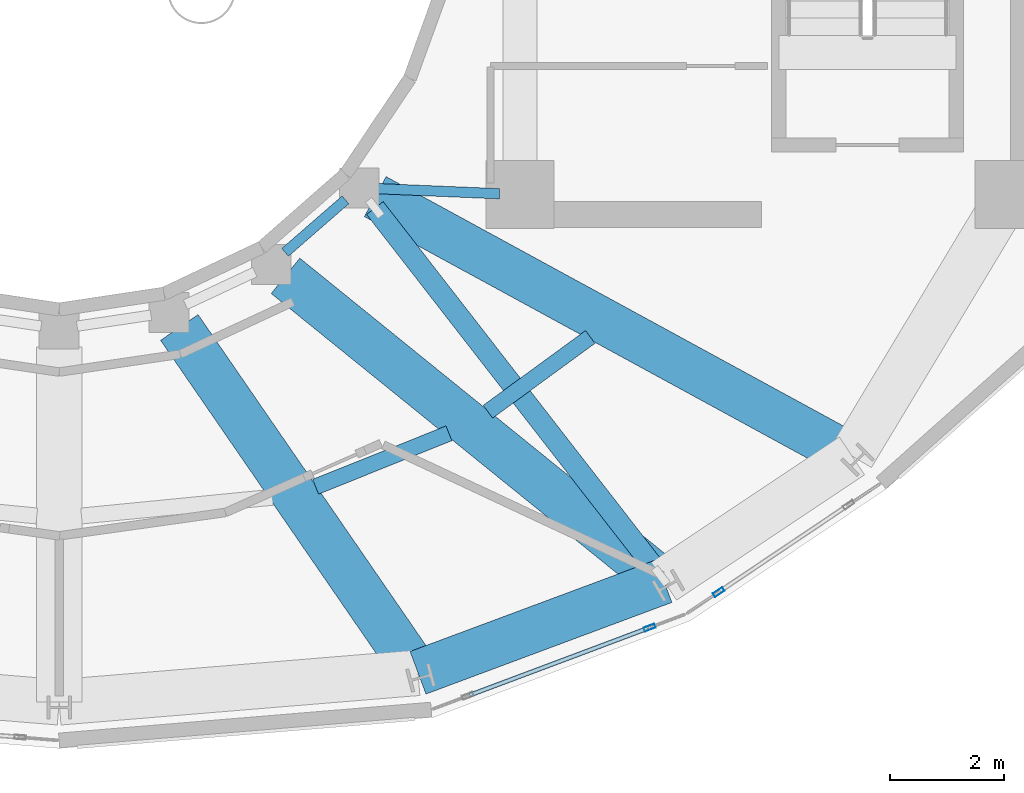
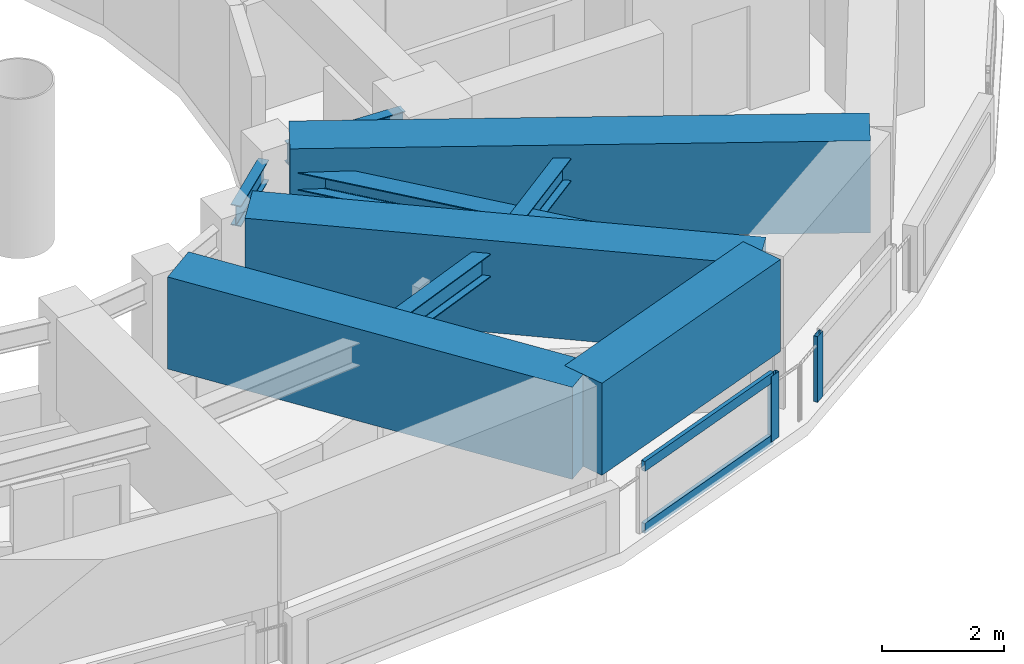
# One storey, part 5 of 17: 8 beams, 5 members, 2 elements without a shape of their own.
"""IFC4 building model written with IfcOpenShell, lengths in metres."""

from ifc_helpers import new_model, si_unit, direction, frame, origin, origin_2d, place, context, subcontext, project, spatial, rectangle, hollow_rectangle, i_section, extrude, material, layer, layer_set, material_profile, profile_set, type_object, element, aggregate, save


model = new_model("IFC4")

# Units and contexts
model_context = context("Model", 3, precision=1e-05, world=origin(), true_north=direction((0.0, 1.0)))
body_context = subcontext(model_context, "Body", "Model", "MODEL_VIEW")
ifc_project = project(units=[si_unit("LENGTHUNIT", "METRE"), si_unit("AREAUNIT", "SQUARE_METRE"), si_unit("VOLUMEUNIT", "CUBIC_METRE"), si_unit("PLANEANGLEUNIT", "RADIAN"), si_unit("MASSUNIT", "GRAM", prefix="KILO")], contexts=[model_context])

# Site, building, storey
site_placement = place(None, origin())
site = spatial("IfcSite", under=ifc_project, at=site_placement, CompositionType="ELEMENT")
building_placement = place(site_placement, origin())
building = spatial("IfcBuilding", under=site, at=building_placement, Name="Solvane Sanctuary Tower", CompositionType="ELEMENT")
storey_placement = place(building_placement, frame((0.0, 0.0, 273.199951171875)))
storey = spatial("IfcBuildingStorey", under=building, at=storey_placement, Name="L83", CompositionType="ELEMENT", Elevation=273.199951171875)

# Beams
ifc_material_1 = material(Name="Steel ASTM A992 Grade 50", Category="steel")
ifc_material_profile_1 = material_profile(ifc_material_1, i_section(OverallWidth=0.180908203125, OverallDepth=0.4169921875, WebThickness=0.010986328125, FlangeThickness=0.018310546875, FilletRadius=0.012939453125, at=origin_2d()), Name="W16X57")
ifc_profile_set_1 = profile_set([ifc_material_profile_1], Name="Steel ASTM A992 Grade 50")
beam_type_1 = type_object("IfcBeamType", Name="Beam B-ROOF-BM W16X57", PredefinedType="BEAM", material=ifc_profile_set_1)
beam_1_placement = place(storey_placement, frame((35.971435546875, 15.883544921875, 2.7294921875), z_axis=(0.754388985763, 0.656427648839, 0.0), x_axis=(-0.656427648839, 0.754388985763, 0.0)))
element("IfcBeam", 1, at=beam_1_placement, inside=storey, type_object=beam_type_1, Name="L83 Inner Light-Well Ring Beam IC13-IC14", PredefinedType="BEAM", context=body_context, shape_type="SweptSolid", body=[
    extrude(i_section(OverallWidth=0.180908203125, OverallDepth=0.4169921875, WebThickness=0.010986328125, FlangeThickness=0.018310546875, FilletRadius=0.012939453125, at=origin_2d()), origin(), (0.0, 0.0, 1.0), 1.408203125),
])
beam_2_placement = place(storey_placement, frame((37.5947265625, 17.004638671875, 2.7294921875), z_axis=(0.999129127803, -0.041725124022, 0.0), x_axis=(0.041725124022, 0.999129127803, 0.0)))
element("IfcBeam", 2, at=beam_2_placement, inside=storey, type_object=beam_type_1, Name="L83 Inner Light-Well Ring Beam IC14-CE1", PredefinedType="BEAM", context=body_context, shape_type="SweptSolid", body=[
    extrude(i_section(OverallWidth=0.180908203125, OverallDepth=0.4169921875, WebThickness=0.010986328125, FlangeThickness=0.018310546875, FilletRadius=0.012939453125, at=origin_2d()), origin(), (0.0, 0.0, 1.0), 2.1474609375),
])
ifc_material_profile_2 = material_profile(ifc_material_1, i_section(OverallWidth=0.280029296875, OverallDepth=0.462890625, WebThickness=0.0107421875, FlangeThickness=0.017333984375, FilletRadius=0.013916015625, at=origin_2d()), Name="W18X76")
ifc_profile_set_2 = profile_set([ifc_material_profile_2], Name="Steel ASTM A992 Grade 50")
beam_type_2 = type_object("IfcBeamType", Name="Beam B-SEC-JOIST W18X76", PredefinedType="JOIST", material=ifc_profile_set_2)
beam_3_placement = place(storey_placement, frame((36.5087890625, 11.76416015625, 2.70654296875), z_axis=(0.928229732521, 0.372007477967, 0.0), x_axis=(-0.372007477967, 0.928229732521, 0.0)))
element("IfcBeam", 3, at=beam_3_placement, inside=storey, type_object=beam_type_2, Name="L83 Secondary Circumferential Joist 12-13", PredefinedType="JOIST", context=body_context, shape_type="SweptSolid", body=[
    extrude(i_section(OverallWidth=0.280029296875, OverallDepth=0.462890625, WebThickness=0.0107421875, FlangeThickness=0.017333984375, FilletRadius=0.013916015625, at=origin_2d()), origin(), (0.0, 0.0, 1.0), 2.524658203125),
])
beam_4_placement = place(storey_placement, frame((39.537841796875, 13.083251953125, 2.70654296875), z_axis=(0.807449370933, 0.589936872368, 0.0), x_axis=(-0.589936872368, 0.807449370933, 0.0)))
element("IfcBeam", 4, at=beam_4_placement, inside=storey, type_object=beam_type_2, Name="L83 Secondary Circumferential Joist 13-14", PredefinedType="JOIST", context=body_context, shape_type="SweptSolid", body=[
    extrude(i_section(OverallWidth=0.280029296875, OverallDepth=0.462890625, WebThickness=0.0107421875, FlangeThickness=0.017333984375, FilletRadius=0.013916015625, at=origin_2d()), origin(), (0.0, 0.0, 1.0), 2.226806640625),
])
ifc_material_2 = material(Name="Concrete C70/85", Category="concrete")
ifc_material_profile_3 = material_profile(ifc_material_2, rectangle(XDim=0.800048828125, YDim=1.85009765625, at=origin_2d()), Name="RC800X1850")
ifc_profile_set_3 = profile_set([ifc_material_profile_3], Name="Concrete C70/85")
beam_type_3 = type_object("IfcBeamType", Name="Beam B-XFER-BLK RC800X1850", PredefinedType="BEAM", material=ifc_profile_set_3)
beam_5_placement = place(storey_placement, frame((34.1123046875, 14.564697265625, 2.275146484375), z_axis=(0.567191526653, -0.823585922715, 0.0), x_axis=(0.823585922715, 0.567191526653, 0.0)))
element("IfcBeam", 5, at=beam_5_placement, inside=storey, type_object=beam_type_3, Name="L83 Block-Shift Radial Transfer Girder 12A", PredefinedType="BEAM", context=body_context, shape_type="SweptSolid", body=[
    extrude(rectangle(XDim=0.800048828125, YDim=1.85009765625, at=origin_2d()), origin(), (0.0, 0.0, 1.0), 7.377685546875),
])
beam_6_placement = place(storey_placement, frame((35.978759765625, 15.47216796875, 2.275146484375), z_axis=(0.777377081736, -0.629034874067, 0.0), x_axis=(0.629034874067, 0.777377081736, 0.0)))
element("IfcBeam", 6, at=beam_6_placement, inside=storey, type_object=beam_type_3, Name="L83 Block-Shift Radial Transfer Girder 13A", PredefinedType="BEAM", context=body_context, shape_type="SweptSolid", body=[
    extrude(rectangle(XDim=0.800048828125, YDim=1.85009765625, at=origin_2d()), origin(), (0.0, 0.0, 1.0), 8.556396484375),
])
beam_7_placement = place(storey_placement, frame((37.555908203125, 16.86474609375, 2.275146484375), z_axis=(0.877978542426, -0.478699988551, 0.0), x_axis=(0.478699988551, 0.877978542426, 0.0)))
element("IfcBeam", 7, at=beam_7_placement, inside=storey, type_object=beam_type_3, Name="L83 Block-Shift Radial Transfer Girder 14A", PredefinedType="BEAM", context=body_context, shape_type="SweptSolid", body=[
    extrude(rectangle(XDim=0.800048828125, YDim=1.85009765625, at=origin_2d()), origin(), (0.0, 0.0, 1.0), 9.55712890625),
])
beam_8_placement = place(storey_placement, frame((38.308349609375, 8.494140625, 2.275146484375), z_axis=(0.937079399513, 0.349116311575, 0.0), x_axis=(-0.349116311575, 0.937079399513, 0.0)))
element("IfcBeam", 8, at=beam_8_placement, inside=storey, type_object=beam_type_3, Name="L83 Perimeter Step Transfer Ring NTC12-NTC13", PredefinedType="BEAM", context=body_context, shape_type="SweptSolid", body=[
    extrude(rectangle(XDim=0.800048828125, YDim=1.85009765625, at=origin_2d()), origin(), (0.0, 0.0, 1.0), 4.614013671875),
])

# Member
ifc_material_profile_4 = material_profile(ifc_material_1, i_section(OverallWidth=0.368896484375, OverallDepth=0.35595703125, WebThickness=0.01123046875, FlangeThickness=0.01806640625, FilletRadius=0.02490234375, at=origin_2d()), Name="W14X90")
ifc_profile_set_4 = profile_set([ifc_material_profile_4], Name="Steel ASTM A992 Grade 50")
member_type_1 = type_object("IfcMemberType", Name="Member M-CROWN-TIE W14X90", PredefinedType="CHORD", material=ifc_profile_set_4)
member_1_placement = place(storey_placement, frame((37.552978515625, 16.66015625, 2.540771484375), z_axis=(0.613454062996, -0.789374326697, 0.023712548261), x_axis=(0.789596346981, 0.613626603754, 0.0)))
element("IfcMember", 9, at=member_1_placement, inside=storey, type_object=member_type_1, Name="L83 Crown Bracing Tie 14", PredefinedType="CHORD", context=body_context, shape_type="SweptSolid", body=[
    extrude(i_section(OverallWidth=0.368896484375, OverallDepth=0.35595703125, WebThickness=0.01123046875, FlangeThickness=0.01806640625, FilletRadius=0.02490234375, at=origin_2d()), origin(), (0.0, 0.0, 1.0), 8.185302734375),
])

# Curtain wall, member
ifc_material_3 = material(Name="Anodised Aluminium 6063-T6", Category="aluminium")
ifc_layer = layer(ifc_material_3, 0.219970703125, Name="Anodised Aluminium 6063-T6")
ifc_layer_set = layer_set([ifc_layer], Name="Anodised Aluminium 6063-T6")
curtain_wall_type = type_object("IfcCurtainWallType", Name="Curtain Wall CW-CROWN", PredefinedType="NOTDEFINED", material=ifc_layer_set)
curtain_wall_1_placement = place(storey_placement, origin())
curtain_wall_1 = element("IfcCurtainWall", 10, at=curtain_wall_1_placement, inside=storey, type_object=curtain_wall_type, Name="L83 Crown Fritted Lantern Curtain Wall 19", PredefinedType="NOTDEFINED")
ifc_material_profile_5 = material_profile(ifc_material_3, hollow_rectangle(XDim=0.074951171875, YDim=0.199951171875, WallThickness=0.00390625, at=origin_2d()), Name="ALU200X75X4")
ifc_profile_set_5 = profile_set([ifc_material_profile_5], Name="Anodised Aluminium 6063-T6")
member_type_2 = type_object("IfcMemberType", Name="Member M-CW-MUL-1 ALU200X75X4", PredefinedType="MULLION", material=ifc_profile_set_5)
member_2_placement = place(storey_placement, frame((42.37939453125, 9.28759765625, 0.0), z_axis=(0.0, 0.0, 1.0), x_axis=(-0.351475292665, 0.936197157999, 0.0)))
member_2 = element("IfcMember", 11, at=member_2_placement, type_object=member_type_2, Name="CW-CROWN mullion 2", PredefinedType="MULLION", context=body_context, shape_type="SweptSolid", body=[
    extrude(hollow_rectangle(XDim=0.074951171875, YDim=0.199951171875, WallThickness=0.00390625, at=origin_2d()), origin(), (0.0, 0.0, 1.0), 1.320068359375),
])

curtain_wall_2_placement = place(storey_placement, origin())
curtain_wall_2 = element("IfcCurtainWall", 12, at=curtain_wall_2_placement, inside=storey, type_object=curtain_wall_type, Name="L83 Crown Fritted Lantern Curtain Wall 20", PredefinedType="NOTDEFINED")
member_3_placement = place(storey_placement, frame((43.59375, 9.91259765625, 0.0), z_axis=(0.0, 0.0, 1.0), x_axis=(-0.5575314263, 0.830155833978, 0.0)))
member_3 = element("IfcMember", 13, at=member_3_placement, type_object=member_type_2, Name="CW-CROWN mullion 1", PredefinedType="MULLION", context=body_context, shape_type="SweptSolid", body=[
    extrude(hollow_rectangle(XDim=0.074951171875, YDim=0.199951171875, WallThickness=0.00390625, at=origin_2d()), origin(), (0.0, 0.0, 1.0), 1.320068359375),
])
aggregate(curtain_wall_2, [member_3])

# Member
ifc_material_profile_6 = material_profile(ifc_material_3, hollow_rectangle(XDim=0.074951171875, YDim=0.199951171875, WallThickness=0.00390625, at=origin_2d()), Name="ALU200X75X4")
ifc_profile_set_6 = profile_set([ifc_material_profile_6], Name="Anodised Aluminium 6063-T6")
member_type_3 = type_object("IfcMemberType", Name="Member M-CW-TRN-2 ALU200X75X4", PredefinedType="USERDEFINED", material=ifc_profile_set_6)
member_4_placement = place(storey_placement, frame((39.218994140625, 8.10107421875, 0.03759765625), z_axis=(0.936193859501, 0.351484078491, 0.0), x_axis=(-0.351484078491, 0.936193859501, 0.0)))
member_4 = element("IfcMember", 14, at=member_4_placement, type_object=member_type_3, Name="CW-CROWN transom 1.1", ObjectType="TRANSOM", PredefinedType="USERDEFINED", context=body_context, shape_type="SweptSolid", body=[
    extrude(hollow_rectangle(XDim=0.074951171875, YDim=0.199951171875, WallThickness=0.00390625, at=origin_2d()), origin(), (0.0, 0.0, 1.0), 3.338134765625),
])

member_5_placement = place(storey_placement, frame((39.218994140625, 8.10107421875, 1.282470703125), z_axis=(0.936193859501, 0.351484078491, 0.0), x_axis=(-0.351484078491, 0.936193859501, 0.0)))
member_5 = element("IfcMember", 15, at=member_5_placement, type_object=member_type_3, Name="CW-CROWN transom 1.2", ObjectType="TRANSOM", PredefinedType="USERDEFINED", context=body_context, shape_type="SweptSolid", body=[
    extrude(hollow_rectangle(XDim=0.074951171875, YDim=0.199951171875, WallThickness=0.00390625, at=origin_2d()), origin(), (0.0, 0.0, 1.0), 3.338134765625),
])

aggregate(curtain_wall_1, [member_2, member_4, member_5])

save(model, "model.ifc")
